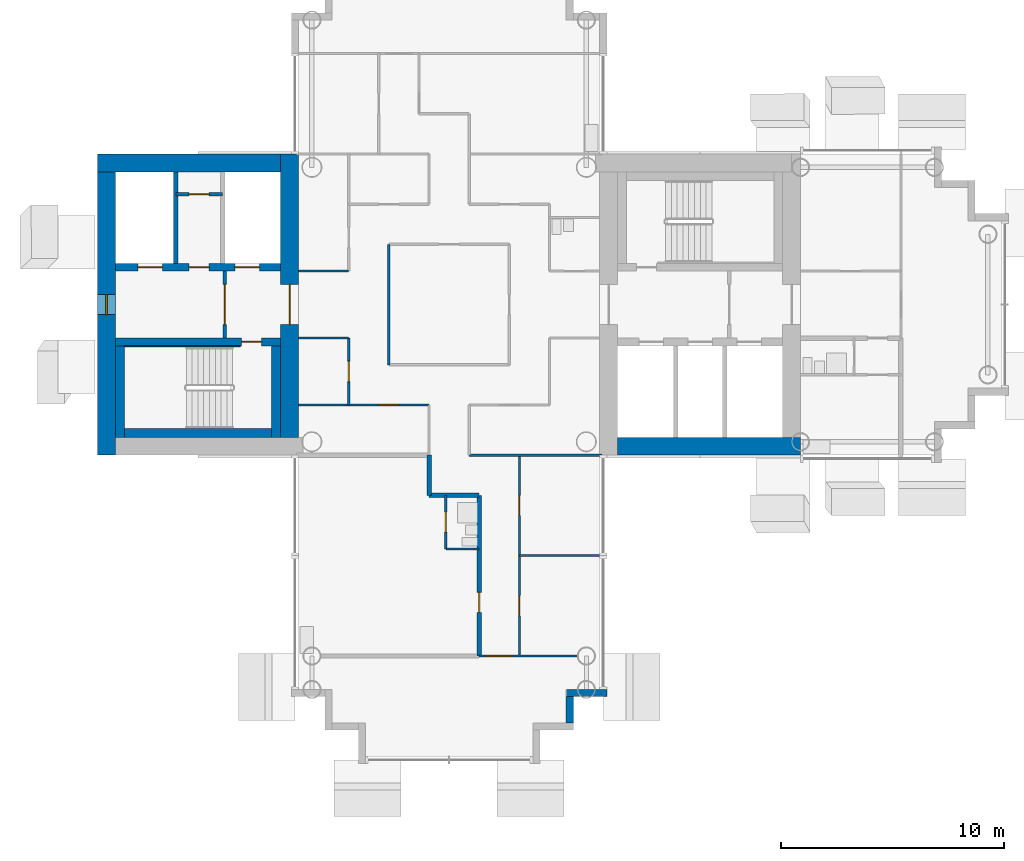
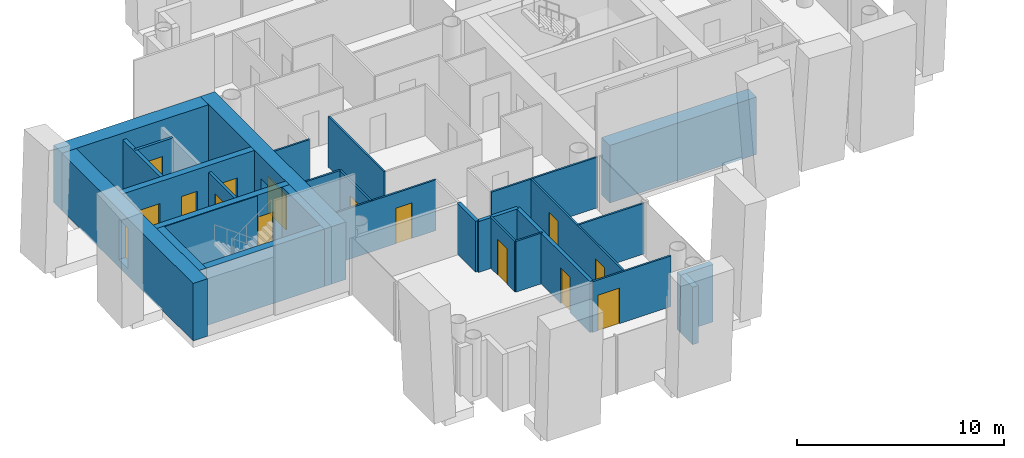
# One storey, part 6 of 18: 29 walls, 14 doors, 1 window, 15 openings.
"""IFC4 building model written with IfcOpenShell, lengths in metres."""

from ifc_helpers import new_model, si_unit, direction, frame, frame_2d, origin, place, context, subcontext, project, spatial, rectangle, extrude, material, layer, layer_set, type_object, element, fill, save


model = new_model("IFC4")

# Units and contexts
model_context = context("Model", 3, precision=1e-05, world=origin(), true_north=direction((0.0, 1.0)))
body_context = subcontext(model_context, "Body", "Model", "MODEL_VIEW")
ifc_project = project(units=[si_unit("LENGTHUNIT", "METRE"), si_unit("AREAUNIT", "SQUARE_METRE"), si_unit("VOLUMEUNIT", "CUBIC_METRE"), si_unit("PLANEANGLEUNIT", "RADIAN"), si_unit("MASSUNIT", "GRAM", prefix="KILO")], contexts=[model_context])

# Site, building, storey
site_placement = place(None, origin())
site = spatial("IfcSite", under=ifc_project, at=site_placement, CompositionType="ELEMENT")
building_placement = place(site_placement, origin())
building = spatial("IfcBuilding", under=site, at=building_placement, Name="Ipe Terrace Towers", CompositionType="ELEMENT")
storey_placement = place(building_placement, frame((0.0, 0.0, 171.10009765625)))
storey = spatial("IfcBuildingStorey", under=building, at=storey_placement, Name="L47", CompositionType="ELEMENT", Elevation=171.10009765625)

# Walls
ifc_material_1 = material(Name="Concrete C40/50 with buff precast cladding", Category="concrete")
ifc_layer_1 = layer(ifc_material_1, 0.320068359375)
ifc_layer_set_1 = layer_set([ifc_layer_1], Name="BUFF CLADDING WALL 320")
wall_type_1 = type_object("IfcWallType", Name="BUFF CLADDING WALL 320", PredefinedType="STANDARD", material=ifc_layer_set_1)
wall_1_placement = place(storey_placement, frame((-30.590087890625, -18.75, -0.300048828125), z_axis=(0.0, 0.0, 1.0), x_axis=(0.0, 1.0, 0.0)))
element("IfcWall", 1, at=wall_1_placement, inside=storey, type_object=wall_type_1, Name="T1-W-L47-11a wall", PredefinedType="STANDARD", context=body_context, shape_type="SweptSolid", body=[
    extrude(rectangle(XDim=1.179931640625, YDim=0.320068359375, at=frame_2d((0.58984375, 0.0))), origin(), (0.0, 0.0, 1.0), 3.39990234375),
])
wall_2_placement = place(storey_placement, frame((-30.75, -17.409912109375, -0.300048828125), z_axis=(0.0, 0.0, 1.0), x_axis=(1.0, 0.0, 0.0)))
element("IfcWall", 2, at=wall_2_placement, inside=storey, type_object=wall_type_1, Name="T1-W-L47-12a wall", PredefinedType="STANDARD", context=body_context, shape_type="SweptSolid", body=[
    extrude(rectangle(XDim=1.820068359375, YDim=0.320068359375, at=frame_2d((0.91015625, 0.0))), origin(), (0.0, 0.0, 1.0), 3.39990234375),
])

# Wall, opening, door
ifc_material_2 = material(Name="Gypsum board partition", Category="plasterboard")
ifc_layer_2 = layer(ifc_material_2, 0.10009765625)
ifc_layer_set_2 = layer_set([ifc_layer_2], Name="Gypsum board partition 100 mm")
wall_type_2 = type_object("IfcWallType", Name="Gypsum board partition 100 mm", PredefinedType="PARTITIONING", material=ifc_layer_set_2)
wall_3_placement = place(storey_placement, frame((-40.5, -4.5, 0.0), z_axis=(0.0, 0.0, 1.0), x_axis=(0.0, 1.0, 0.0)))
wall_3 = element("IfcWall", 3, at=wall_3_placement, inside=storey, type_object=wall_type_2, Name="Gypsum board partition T1 L47 W01", PredefinedType="PARTITIONING", context=body_context, shape_type="SweptSolid", body=[
    extrude(rectangle(XDim=3.0, YDim=0.10009765625, at=frame_2d((1.5, 0.0))), origin(), (0.0, 0.0, 1.0), 3.0),
])
opening_1_placement = place(wall_3_placement, frame((1.050048828125, 0.0, 0.0)))
opening_1 = element("IfcOpeningElement", 4, at=opening_1_placement, cuts=wall_3, Name="Opening T1-Z3F-08", PredefinedType="OPENING", context=body_context, shape_type="SweptSolid", body=[
    extrude(rectangle(XDim=0.89990234375, YDim=2.10009765625, at=frame_2d((0.449951171875, 1.050048828125))), frame((0.0, 0.06005859375, 0.0), z_axis=(0.0, -1.0, 0.0), x_axis=(1.0, 0.0, 0.0)), (0.0, 0.0, 1.0), 0.1201171875),
])
ifc_material_3 = material(Name="Timber door leaf", Category="wood")
door_type_1 = type_object("IfcDoorType", Name="Lounge door 900 x 2100", OperationType="NOTDEFINED", PredefinedType="DOOR", material=ifc_material_3)
door_1_placement = place(opening_1_placement, origin())
door_1 = element("IfcDoor", 5, at=door_1_placement, inside=storey, type_object=door_type_1, Name="Lounge door T1-Z3F-08", OperationType="SINGLE_SWING_LEFT", OverallHeight=2.10009765625, OverallWidth=0.89990234375, PredefinedType="DOOR", context=body_context, shape_type="SweptSolid", body=[
    extrude(rectangle(XDim=0.89990234375, YDim=2.10009765625, at=frame_2d((0.449951171875, 1.050048828125))), frame((0.0, 0.02490234375, 0.0), z_axis=(0.0, -1.0, 0.0), x_axis=(1.0, 0.0, 0.0)), (0.0, 0.0, 1.0), 0.050048828125),
])
fill(opening_1, door_1)

# Wall
wall_4_placement = place(storey_placement, frame((-38.699951171875, -2.699951171875, 0.0), z_axis=(0.0, 0.0, 1.0), x_axis=(0.0, 1.0, 0.0)))
element("IfcWall", 6, at=wall_4_placement, inside=storey, type_object=wall_type_2, Name="Gypsum board partition T1 L47 W04", PredefinedType="PARTITIONING", context=body_context, shape_type="SweptSolid", body=[
    extrude(rectangle(XDim=5.39990234375, YDim=0.10009765625, at=frame_2d((2.699951171875, 0.0))), origin(), (0.0, 0.0, 1.0), 3.0),
])

# Wall, opening, door
wall_5_placement = place(storey_placement, frame((-36.14990234375, -10.949951171875, 0.0), z_axis=(0.0, 0.0, 1.0), x_axis=(0.0, 1.0, 0.0)))
wall_5 = element("IfcWall", 7, at=wall_5_placement, inside=storey, type_object=wall_type_2, Name="Gypsum board partition T1 L47 W09", PredefinedType="PARTITIONING", context=body_context, shape_type="SweptSolid", body=[
    extrude(rectangle(XDim=2.39990234375, YDim=0.10009765625, at=frame_2d((1.199951171875, 0.0))), origin(), (0.0, 0.0, 1.0), 3.0),
])
opening_2_placement = place(wall_5_placement, frame((0.75, 0.0, 0.0)))
opening_2 = element("IfcOpeningElement", 8, at=opening_2_placement, cuts=wall_5, Name="Opening T1-Z3F-16", PredefinedType="OPENING", context=body_context, shape_type="SweptSolid", body=[
    extrude(rectangle(XDim=0.89990234375, YDim=2.10009765625, at=frame_2d((0.449951171875, 1.050048828125))), frame((0.0, 0.06005859375, 0.0), z_axis=(0.0, -1.0, 0.0), x_axis=(1.0, 0.0, 0.0)), (0.0, 0.0, 1.0), 0.1201171875),
])
ifc_material_4 = material(Name="Timber door leaf", Category="wood")
door_type_2 = type_object("IfcDoorType", Name="Bathroom door 900 x 2100", OperationType="NOTDEFINED", PredefinedType="DOOR", material=ifc_material_4)
door_2_placement = place(opening_2_placement, origin())
door_2 = element("IfcDoor", 9, at=door_2_placement, inside=storey, type_object=door_type_2, Name="Bathroom door T1-Z3F-16", OperationType="SINGLE_SWING_RIGHT", OverallHeight=2.10009765625, OverallWidth=0.89990234375, PredefinedType="DOOR", context=body_context, shape_type="SweptSolid", body=[
    extrude(rectangle(XDim=0.89990234375, YDim=2.10009765625, at=frame_2d((0.449951171875, 1.050048828125))), frame((0.0, 0.02490234375, 0.0), z_axis=(0.0, -1.0, 0.0), x_axis=(1.0, 0.0, 0.0)), (0.0, 0.0, 1.0), 0.050048828125),
])
fill(opening_2, door_2)

# Wall, openings, doors
wall_6_placement = place(storey_placement, frame((-32.85009765625, -15.75, 0.0), z_axis=(0.0, 0.0, 1.0), x_axis=(0.0, 1.0, 0.0)))
wall_6 = element("IfcWall", 10, at=wall_6_placement, inside=storey, type_object=wall_type_2, Name="Gypsum board partition T1 L47 W14", PredefinedType="PARTITIONING", context=body_context, shape_type="SweptSolid", body=[
    extrude(rectangle(XDim=9.0, YDim=0.10009765625, at=frame_2d((4.5, 0.0))), origin(), (0.0, 0.0, 1.0), 3.0),
])
opening_3_placement = place(wall_6_placement, frame((6.300048828125, 0.0, 0.0)))
opening_3 = element("IfcOpeningElement", 11, at=opening_3_placement, cuts=wall_6, Name="Opening T1-Z3F-13", PredefinedType="OPENING", context=body_context, shape_type="SweptSolid", body=[
    extrude(rectangle(XDim=0.89990234375, YDim=2.10009765625, at=frame_2d((0.449951171875, 1.050048828125))), frame((0.0, 0.06005859375, 0.0), z_axis=(0.0, -1.0, 0.0), x_axis=(1.0, 0.0, 0.0)), (0.0, 0.0, 1.0), 0.1201171875),
])
opening_4_placement = place(wall_6_placement, frame((1.800048828125, 0.0, 0.0)))
opening_4 = element("IfcOpeningElement", 12, at=opening_4_placement, cuts=wall_6, Name="Opening T1-Z3F-14", PredefinedType="OPENING", context=body_context, shape_type="SweptSolid", body=[
    extrude(rectangle(XDim=0.89990234375, YDim=2.10009765625, at=frame_2d((0.449951171875, 1.050048828125))), frame((0.0, 0.06005859375, 0.0), z_axis=(0.0, -1.0, 0.0), x_axis=(1.0, 0.0, 0.0)), (0.0, 0.0, 1.0), 0.1201171875),
])
door_3_placement = place(opening_3_placement, origin())
door_3 = element("IfcDoor", 13, at=door_3_placement, inside=storey, type_object=door_type_1, Name="Lounge door T1-Z3F-13", OperationType="SINGLE_SWING_RIGHT", OverallHeight=2.10009765625, OverallWidth=0.89990234375, PredefinedType="DOOR", context=body_context, shape_type="SweptSolid", body=[
    extrude(rectangle(XDim=0.89990234375, YDim=2.10009765625, at=frame_2d((0.449951171875, 1.050048828125))), frame((0.0, 0.02490234375, 0.0), z_axis=(0.0, -1.0, 0.0), x_axis=(1.0, 0.0, 0.0)), (0.0, 0.0, 1.0), 0.050048828125),
])
fill(opening_3, door_3)
door_4_placement = place(opening_4_placement, origin())
door_4 = element("IfcDoor", 14, at=door_4_placement, inside=storey, type_object=door_type_1, Name="Lounge door T1-Z3F-14", OperationType="SINGLE_SWING_LEFT", OverallHeight=2.10009765625, OverallWidth=0.89990234375, PredefinedType="DOOR", context=body_context, shape_type="SweptSolid", body=[
    extrude(rectangle(XDim=0.89990234375, YDim=2.10009765625, at=frame_2d((0.449951171875, 1.050048828125))), frame((0.0, 0.02490234375, 0.0), z_axis=(0.0, -1.0, 0.0), x_axis=(1.0, 0.0, 0.0)), (0.0, 0.0, 1.0), 0.050048828125),
])
fill(opening_4, door_4)

# Wall, opening, door
wall_7_placement = place(storey_placement, frame((-34.64990234375, -15.75, 0.0), z_axis=(0.0, 0.0, 1.0), x_axis=(1.0, 0.0, 0.0)))
wall_7 = element("IfcWall", 15, at=wall_7_placement, inside=storey, type_object=wall_type_2, Name="Gypsum board partition T1 L47 W20", PredefinedType="PARTITIONING", context=body_context, shape_type="SweptSolid", body=[
    extrude(rectangle(XDim=4.39990234375, YDim=0.10009765625, at=frame_2d((2.199951171875, 0.0))), origin(), (0.0, 0.0, 1.0), 3.0),
])
opening_5_placement = place(wall_7_placement, frame((0.300048828125, 0.0, 0.0)))
opening_5 = element("IfcOpeningElement", 16, at=opening_5_placement, cuts=wall_7, Name="Opening T1-Z3F-17", PredefinedType="OPENING", context=body_context, shape_type="SweptSolid", body=[
    extrude(rectangle(XDim=1.199951171875, YDim=2.10009765625, at=frame_2d((0.60009765625, 1.050048828125))), frame((0.0, 0.06005859375, 0.0), z_axis=(0.0, -1.0, 0.0), x_axis=(1.0, 0.0, 0.0)), (0.0, 0.0, 1.0), 0.1201171875),
])
ifc_material_5 = material(Name="Timber door leaf", Category="wood")
door_type_3 = type_object("IfcDoorType", Name="Lounge door 1200 x 2100", OperationType="NOTDEFINED", PredefinedType="DOOR", material=ifc_material_5)
door_5_placement = place(opening_5_placement, origin())
door_5 = element("IfcDoor", 17, at=door_5_placement, inside=storey, type_object=door_type_3, Name="Lounge door T1-Z3F-17", OperationType="SINGLE_SWING_LEFT", OverallHeight=2.10009765625, OverallWidth=1.199951171875, PredefinedType="DOOR", context=body_context, shape_type="SweptSolid", body=[
    extrude(rectangle(XDim=1.199951171875, YDim=2.10009765625, at=frame_2d((0.60009765625, 1.050048828125))), frame((0.0, 0.02490234375, 0.0), z_axis=(0.0, -1.0, 0.0), x_axis=(1.0, 0.0, 0.0)), (0.0, 0.0, 1.0), 0.050048828125),
])
fill(opening_5, door_5)

# Walls
wall_8_placement = place(storey_placement, frame((-32.85009765625, -11.25, 0.0), z_axis=(0.0, 0.0, 1.0), x_axis=(1.0, 0.0, 0.0)))
element("IfcWall", 18, at=wall_8_placement, inside=storey, type_object=wall_type_2, Name="Gypsum board partition T1 L47 W22", PredefinedType="PARTITIONING", context=body_context, shape_type="SweptSolid", body=[
    extrude(rectangle(XDim=3.7001953125, YDim=0.10009765625, at=frame_2d((1.85009765625, 0.0))), origin(), (0.0, 0.0, 1.0), 3.0),
])
wall_9_placement = place(storey_placement, frame((-36.14990234375, -10.949951171875, 0.0), z_axis=(0.0, 0.0, 1.0), x_axis=(1.0, 0.0, 0.0)))
element("IfcWall", 19, at=wall_9_placement, inside=storey, type_object=wall_type_2, Name="Gypsum board partition T1 L47 W23", PredefinedType="PARTITIONING", context=body_context, shape_type="SweptSolid", body=[
    extrude(rectangle(XDim=1.5, YDim=0.10009765625, at=frame_2d((0.75, 0.0))), origin(), (0.0, 0.0, 1.0), 3.0),
])
wall_10_placement = place(storey_placement, frame((-35.10009765625, -6.75, 0.0), z_axis=(0.0, 0.0, 1.0), x_axis=(1.0, 0.0, 0.0)))
element("IfcWall", 20, at=wall_10_placement, inside=storey, type_object=wall_type_2, Name="Gypsum board partition T1 L47 W25", PredefinedType="PARTITIONING", context=body_context, shape_type="SweptSolid", body=[
    extrude(rectangle(XDim=5.9501953125, YDim=0.10009765625, at=frame_2d((2.97509765625, 0.0))), origin(), (0.0, 0.0, 1.0), 3.0),
])

# Wall, opening, door
wall_11_placement = place(storey_placement, frame((-42.75, -4.5, 0.0), z_axis=(0.0, 0.0, 1.0), x_axis=(1.0, 0.0, 0.0)))
wall_11 = element("IfcWall", 21, at=wall_11_placement, inside=storey, type_object=wall_type_2, Name="Gypsum board partition T1 L47 W27", PredefinedType="PARTITIONING", context=body_context, shape_type="SweptSolid", body=[
    extrude(rectangle(XDim=5.85009765625, YDim=0.10009765625, at=frame_2d((2.925048828125, 0.0))), origin(), (0.0, 0.0, 1.0), 3.0),
])
opening_6_placement = place(wall_11_placement, frame((3.60009765625, 0.0, 0.0)))
opening_6 = element("IfcOpeningElement", 22, at=opening_6_placement, cuts=wall_11, Name="Opening T1-Z3F-07", PredefinedType="OPENING", context=body_context, shape_type="SweptSolid", body=[
    extrude(rectangle(XDim=0.89990234375, YDim=2.10009765625, at=frame_2d((0.449951171875, 1.050048828125))), frame((0.0, 0.06005859375, 0.0), z_axis=(0.0, -1.0, 0.0), x_axis=(1.0, 0.0, 0.0)), (0.0, 0.0, 1.0), 0.1201171875),
])
door_6_placement = place(opening_6_placement, origin())
door_6 = element("IfcDoor", 23, at=door_6_placement, inside=storey, type_object=door_type_1, Name="Lounge door T1-Z3F-07", OperationType="SINGLE_SWING_RIGHT", OverallHeight=2.10009765625, OverallWidth=0.89990234375, PredefinedType="DOOR", context=body_context, shape_type="SweptSolid", body=[
    extrude(rectangle(XDim=0.89990234375, YDim=2.10009765625, at=frame_2d((0.449951171875, 1.050048828125))), frame((0.0, 0.02490234375, 0.0), z_axis=(0.0, -1.0, 0.0), x_axis=(1.0, 0.0, 0.0)), (0.0, 0.0, 1.0), 0.050048828125),
])
fill(opening_6, door_6)

# Walls
for number, where, z_axis, x_axis, name in (
    (24, (-42.75, -1.5, 0.0), (0.0, 0.0, 1.0), (1.0, 0.0, 0.0), "Gypsum board partition T1 L47 W31"),
    (25, (-42.75, 1.5, 0.0), (0.0, 0.0, 1.0), (1.0, 0.0, 0.0), "Gypsum board partition T1 L47 W34"),
):
    element("IfcWall", number, at=place(storey_placement, frame(where, z_axis=z_axis, x_axis=x_axis)), inside=storey, type_object=wall_type_2, Name=name, PredefinedType="PARTITIONING", context=body_context, shape_type="SweptSolid", body=[
        extrude(rectangle(XDim=2.25, YDim=0.10009765625, at=frame_2d((1.125, 0.0))), origin(), (0.0, 0.0, 1.0), 3.0),
    ])

# Wall, opening, door
ifc_material_6 = material(Name="Gypsum board partition", Category="plasterboard")
ifc_layer_3 = layer(ifc_material_6, 0.14990234375)
ifc_layer_set_3 = layer_set([ifc_layer_3], Name="Gypsum board partition 150 mm")
wall_type_3 = type_object("IfcWallType", Name="Gypsum board partition 150 mm", PredefinedType="PARTITIONING", material=ifc_layer_set_3)
wall_12_placement = place(storey_placement, frame((-46.050048828125, 1.5, 0.0), z_axis=(0.0, 0.0, 1.0), x_axis=(0.0, -1.0, 0.0)))
wall_12 = element("IfcWall", 26, at=wall_12_placement, inside=storey, type_object=wall_type_3, Name="Gypsum board partition T1 L47 t1c2-lobby-wall", PredefinedType="PARTITIONING", context=body_context, shape_type="SweptSolid", body=[
    extrude(rectangle(XDim=3.0, YDim=0.14990234375, at=frame_2d((1.5, 0.0))), origin(), (0.0, 0.0, 1.0), 3.0),
])
opening_7_placement = place(wall_12_placement, frame((0.60009765625, 0.0, 0.0)))
opening_7 = element("IfcOpeningElement", 27, at=opening_7_placement, cuts=wall_12, Name="Opening T1C2-VD", PredefinedType="OPENING", context=body_context, shape_type="SweptSolid", body=[
    extrude(rectangle(XDim=1.800048828125, YDim=2.10009765625, at=frame_2d((0.89990234375, 1.050048828125))), frame((0.0, 0.0849609375, 0.0), z_axis=(0.0, -1.0, 0.0), x_axis=(1.0, 0.0, 0.0)), (0.0, 0.0, 1.0), 0.169921875),
])
ifc_material_7 = material(Name="Fire-rated timber door leaf", Category="wood")
door_type_4 = type_object("IfcDoorType", Name="Lobby door 1800 x 2100 FD60", OperationType="NOTDEFINED", PredefinedType="DOOR", material=ifc_material_7)
door_7_placement = place(opening_7_placement, origin())
door_7 = element("IfcDoor", 28, at=door_7_placement, inside=storey, type_object=door_type_4, Name="Lobby door T1C2-VD", OperationType="SINGLE_SWING_LEFT", OverallHeight=2.10009765625, OverallWidth=1.800048828125, PredefinedType="DOOR", context=body_context, shape_type="SweptSolid", body=[
    extrude(rectangle(XDim=1.800048828125, YDim=2.10009765625, at=frame_2d((0.89990234375, 1.050048828125))), frame((0.0, 0.02490234375, 0.0), z_axis=(0.0, -1.0, 0.0), x_axis=(1.0, 0.0, 0.0)), (0.0, 0.0, 1.0), 0.050048828125),
])
fill(opening_7, door_7)

wall_13_placement = place(storey_placement, frame((-46.14990234375, 4.949951171875, 0.0), z_axis=(0.0, 0.0, 1.0), x_axis=(-1.0, 0.0, 0.0)))
wall_13 = element("IfcWall", 29, at=wall_13_placement, inside=storey, type_object=wall_type_3, Name="Gypsum board partition T1 L47 t1c2-q-back", PredefinedType="PARTITIONING", context=body_context, shape_type="SweptSolid", body=[
    extrude(rectangle(XDim=2.10009765625, YDim=0.14990234375, at=frame_2d((1.050048828125, 0.0))), origin(), (0.0, 0.0, 1.0), 3.0),
])
opening_8_placement = place(wall_13_placement, frame((0.60009765625, 0.0, 0.0)))
opening_8 = element("IfcOpeningElement", 30, at=opening_8_placement, cuts=wall_13, Name="Opening T1C2-RB", PredefinedType="OPENING", context=body_context, shape_type="SweptSolid", body=[
    extrude(rectangle(XDim=0.89990234375, YDim=2.10009765625, at=frame_2d((0.449951171875, 1.050048828125))), frame((0.0, 0.0849609375, 0.0), z_axis=(0.0, -1.0, 0.0), x_axis=(1.0, 0.0, 0.0)), (0.0, 0.0, 1.0), 0.169921875),
])
ifc_material_8 = material(Name="Fire-rated timber door leaf", Category="wood")
door_type_5 = type_object("IfcDoorType", Name="Service door 900 x 2100 FD60", OperationType="NOTDEFINED", PredefinedType="DOOR", material=ifc_material_8)
door_8_placement = place(opening_8_placement, origin())
door_8 = element("IfcDoor", 31, at=door_8_placement, inside=storey, type_object=door_type_5, Name="Service door T1C2-RB", OperationType="SINGLE_SWING_LEFT", OverallHeight=2.10009765625, OverallWidth=0.89990234375, PredefinedType="DOOR", context=body_context, shape_type="SweptSolid", body=[
    extrude(rectangle(XDim=0.89990234375, YDim=2.10009765625, at=frame_2d((0.449951171875, 1.050048828125))), frame((0.0, 0.02490234375, 0.0), z_axis=(0.0, -1.0, 0.0), x_axis=(1.0, 0.0, 0.0)), (0.0, 0.0, 1.0), 0.050048828125),
])
fill(opening_8, door_8)

# Walls
ifc_material_9 = material(Name="Gypsum board party wall", Category="plasterboard")
ifc_layer_4 = layer(ifc_material_9, 0.199951171875)
ifc_layer_set_4 = layer_set([ifc_layer_4], Name="Gypsum board party wall 200 mm")
wall_type_4 = type_object("IfcWallType", Name="Gypsum board party wall 200 mm", PredefinedType="SOLIDWALL", material=ifc_layer_set_4)
wall_14_placement = place(storey_placement, frame((-48.25, 5.949951171875, 0.0), z_axis=(0.0, 0.0, 1.0), x_axis=(0.0, -1.0, 0.0)))
element("IfcWall", 32, at=wall_14_placement, inside=storey, type_object=wall_type_4, Name="Gypsum board party wall T1 L47 t1c2-shaft-div2", PredefinedType="SOLIDWALL", context=body_context, shape_type="SweptSolid", body=[
    extrude(rectangle(XDim=4.099853515625, YDim=0.199951171875, at=frame_2d((2.0498046875, 0.0))), origin(), (0.0, 0.0, 1.0), 3.0),
])
wall_15_placement = place(storey_placement, frame((-36.89990234375, -8.550048828125, 0.0), z_axis=(0.0, 0.0, 1.0), x_axis=(0.0, 1.0, 0.0)))
element("IfcWall", 33, at=wall_15_placement, inside=storey, type_object=wall_type_4, Name="Gypsum board party wall T1 L47 W08", PredefinedType="SOLIDWALL", context=body_context, shape_type="SweptSolid", body=[
    extrude(rectangle(XDim=1.800048828125, YDim=0.199951171875, at=frame_2d((0.89990234375, 0.0))), origin(), (0.0, 0.0, 1.0), 3.0),
])

# Wall, opening, door
wall_16_placement = place(storey_placement, frame((-34.64990234375, -15.75, 0.0), z_axis=(0.0, 0.0, 1.0), x_axis=(0.0, 1.0, 0.0)))
wall_16 = element("IfcWall", 34, at=wall_16_placement, inside=storey, type_object=wall_type_4, Name="Gypsum board party wall T1 L47 W12", PredefinedType="SOLIDWALL", context=body_context, shape_type="SweptSolid", body=[
    extrude(rectangle(XDim=7.199951171875, YDim=0.199951171875, at=frame_2d((3.60009765625, 0.0))), origin(), (0.0, 0.0, 1.0), 3.0),
])
opening_9_placement = place(wall_16_placement, frame((1.949951171875, 0.0, 0.0)))
opening_9 = element("IfcOpeningElement", 35, at=opening_9_placement, cuts=wall_16, Name="Opening T1-Z3F-15", PredefinedType="OPENING", context=body_context, shape_type="SweptSolid", body=[
    extrude(rectangle(XDim=0.89990234375, YDim=2.10009765625, at=frame_2d((0.449951171875, 1.050048828125))), frame((0.0, 0.10986328125, 0.0), z_axis=(0.0, -1.0, 0.0), x_axis=(1.0, 0.0, 0.0)), (0.0, 0.0, 1.0), 0.219970703125),
])
ifc_material_10 = material(Name="Fire-rated timber door leaf", Category="wood")
door_type_6 = type_object("IfcDoorType", Name="Flat entrance door 900 x 2100 FD30S", OperationType="NOTDEFINED", PredefinedType="DOOR", material=ifc_material_10)
door_9_placement = place(opening_9_placement, origin())
door_9 = element("IfcDoor", 36, at=door_9_placement, inside=storey, type_object=door_type_6, Name="Flat entrance door T1-Z3F-15", OperationType="SINGLE_SWING_RIGHT", OverallHeight=2.10009765625, OverallWidth=0.89990234375, PredefinedType="DOOR", context=body_context, shape_type="SweptSolid", body=[
    extrude(rectangle(XDim=0.89990234375, YDim=2.10009765625, at=frame_2d((0.449951171875, 1.050048828125))), frame((0.0, 0.02490234375, 0.0), z_axis=(0.0, -1.0, 0.0), x_axis=(1.0, 0.0, 0.0)), (0.0, 0.0, 1.0), 0.050048828125),
])
fill(opening_9, door_9)

# Wall
wall_17_placement = place(storey_placement, frame((-36.89990234375, -8.550048828125, 0.0), z_axis=(0.0, 0.0, 1.0), x_axis=(1.0, 0.0, 0.0)))
element("IfcWall", 37, at=wall_17_placement, inside=storey, type_object=wall_type_4, Name="Gypsum board party wall T1 L47 W24", PredefinedType="SOLIDWALL", context=body_context, shape_type="SweptSolid", body=[
    extrude(rectangle(XDim=2.25, YDim=0.199951171875, at=frame_2d((1.125, 0.0))), origin(), (0.0, 0.0, 1.0), 3.0),
])

# Wall, opening, door
ifc_material_11 = material(Name="Concrete C50/60", Category="concrete")
ifc_layer_5 = layer(ifc_material_11, 0.35009765625)
ifc_layer_set_5 = layer_set([ifc_layer_5], Name="RW350 CORE SPINE WALL 350 C50-60")
wall_type_5 = type_object("IfcWallType", Name="RW350 CORE SPINE WALL 350 C50-60", PredefinedType="SHEAR", material=ifc_layer_set_5)
wall_18_placement = place(storey_placement, frame((-50.949951171875, -1.675048828125, 0.0), z_axis=(0.0, 0.0, 1.0), x_axis=(1.0, 0.0, 0.0)))
wall_18 = element("IfcWall", 38, at=wall_18_placement, inside=storey, type_object=wall_type_5, Name="Core spine wall T1-C2-Z3-SW1", PredefinedType="SHEAR", context=body_context, shape_type="SweptSolid", body=[
    extrude(rectangle(XDim=7.39990234375, YDim=0.35009765625, at=frame_2d((3.699951171875, 0.0))), origin(), (0.0, 0.0, 1.0), 3.39990234375),
])
opening_10_placement = place(wall_18_placement, frame((5.64990234375, 0.0, 0.0)))
opening_10 = element("IfcOpeningElement", 39, at=opening_10_placement, cuts=wall_18, Name="Opening T1C2-SD", PredefinedType="OPENING", context=body_context, shape_type="SweptSolid", body=[
    extrude(rectangle(XDim=0.89990234375, YDim=2.10009765625, at=frame_2d((0.449951171875, 1.050048828125))), frame((0.0, 0.18505859375, 0.0), z_axis=(0.0, -1.0, 0.0), x_axis=(1.0, 0.0, 0.0)), (0.0, 0.0, 1.0), 0.3701171875),
])
ifc_material_12 = material(Name="Fire-rated timber door leaf", Category="wood")
door_type_7 = type_object("IfcDoorType", Name="Stair door 900 x 2100 FD60", OperationType="NOTDEFINED", PredefinedType="DOOR", material=ifc_material_12)
door_10_placement = place(opening_10_placement, origin())
door_10 = element("IfcDoor", 40, at=door_10_placement, inside=storey, type_object=door_type_7, Name="Stair door T1C2-SD", OperationType="SINGLE_SWING_RIGHT", OverallHeight=2.10009765625, OverallWidth=0.89990234375, PredefinedType="DOOR", context=body_context, shape_type="SweptSolid", body=[
    extrude(rectangle(XDim=0.89990234375, YDim=2.10009765625, at=frame_2d((0.449951171875, 1.050048828125))), frame((0.0, 0.02490234375, 0.0), z_axis=(0.0, -1.0, 0.0), x_axis=(1.0, 0.0, 0.0)), (0.0, 0.0, 1.0), 0.050048828125),
])
fill(opening_10, door_10)

# Wall, openings, doors
wall_19_placement = place(storey_placement, frame((-50.949951171875, 1.675048828125, 0.0), z_axis=(0.0, 0.0, 1.0), x_axis=(1.0, 0.0, 0.0)))
wall_19 = element("IfcWall", 41, at=wall_19_placement, inside=storey, type_object=wall_type_5, Name="Core spine wall T1-C2-Z3-SW2", PredefinedType="SHEAR", context=body_context, shape_type="SweptSolid", body=[
    extrude(rectangle(XDim=7.39990234375, YDim=0.35009765625, at=frame_2d((3.699951171875, 0.0))), origin(), (0.0, 0.0, 1.0), 3.39990234375),
])
opening_11_placement = place(wall_19_placement, frame((5.35009765625, 0.0, 0.0)))
opening_11 = element("IfcOpeningElement", 42, at=opening_11_placement, cuts=wall_19, Name="Opening T1C2-LD1", PredefinedType="OPENING", context=body_context, shape_type="SweptSolid", body=[
    extrude(rectangle(XDim=1.10009765625, YDim=2.10009765625, at=frame_2d((0.550048828125, 1.050048828125))), frame((0.0, 0.18505859375, 0.0), z_axis=(0.0, -1.0, 0.0), x_axis=(1.0, 0.0, 0.0)), (0.0, 0.0, 1.0), 0.3701171875),
])
opening_12_placement = place(wall_19_placement, frame((1.0, 0.0, 0.0)))
opening_12 = element("IfcOpeningElement", 43, at=opening_12_placement, cuts=wall_19, Name="Opening T1C2-LD3", PredefinedType="OPENING", context=body_context, shape_type="SweptSolid", body=[
    extrude(rectangle(XDim=1.10009765625, YDim=2.10009765625, at=frame_2d((0.550048828125, 1.050048828125))), frame((0.0, 0.18505859375, 0.0), z_axis=(0.0, -1.0, 0.0), x_axis=(1.0, 0.0, 0.0)), (0.0, 0.0, 1.0), 0.3701171875),
])
opening_13_placement = place(wall_19_placement, frame((3.300048828125, 0.0, 0.0)))
opening_13 = element("IfcOpeningElement", 44, at=opening_13_placement, cuts=wall_19, Name="Opening T1C2-R1-NR", PredefinedType="OPENING", context=body_context, shape_type="SweptSolid", body=[
    extrude(rectangle(XDim=0.89990234375, YDim=2.10009765625, at=frame_2d((0.449951171875, 1.050048828125))), frame((0.0, 0.18505859375, 0.0), z_axis=(0.0, -1.0, 0.0), x_axis=(1.0, 0.0, 0.0)), (0.0, 0.0, 1.0), 0.3701171875),
])
ifc_material_13 = material(Name="Fire-rated timber door leaf", Category="wood")
door_type_8 = type_object("IfcDoorType", Name="Sliding door 1100 x 2100 FD60", OperationType="SLIDING_TO_LEFT", PredefinedType="DOOR", material=ifc_material_13)
door_11_placement = place(opening_11_placement, origin())
door_11 = element("IfcDoor", 45, at=door_11_placement, inside=storey, type_object=door_type_8, Name="Sliding door T1C2-LD1", OperationType="SLIDING_TO_LEFT", OverallHeight=2.10009765625, OverallWidth=1.10009765625, PredefinedType="DOOR", context=body_context, shape_type="SweptSolid", body=[
    extrude(rectangle(XDim=1.10009765625, YDim=2.10009765625, at=frame_2d((0.550048828125, 1.050048828125))), frame((0.0, 0.02490234375, 0.0), z_axis=(0.0, -1.0, 0.0), x_axis=(1.0, 0.0, 0.0)), (0.0, 0.0, 1.0), 0.050048828125),
])
fill(opening_11, door_11)
door_12_placement = place(opening_12_placement, origin())
door_12 = element("IfcDoor", 46, at=door_12_placement, inside=storey, type_object=door_type_8, Name="Sliding door T1C2-LD3", OperationType="SLIDING_TO_LEFT", OverallHeight=2.10009765625, OverallWidth=1.10009765625, PredefinedType="DOOR", context=body_context, shape_type="SweptSolid", body=[
    extrude(rectangle(XDim=1.10009765625, YDim=2.10009765625, at=frame_2d((0.550048828125, 1.050048828125))), frame((0.0, 0.02490234375, 0.0), z_axis=(0.0, -1.0, 0.0), x_axis=(1.0, 0.0, 0.0)), (0.0, 0.0, 1.0), 0.050048828125),
])
fill(opening_12, door_12)
ifc_material_14 = material(Name="Timber door leaf", Category="wood")
door_type_9 = type_object("IfcDoorType", Name="Store door 900 x 2100", OperationType="NOTDEFINED", PredefinedType="DOOR", material=ifc_material_14)
door_13_placement = place(opening_13_placement, origin())
door_13 = element("IfcDoor", 47, at=door_13_placement, inside=storey, type_object=door_type_9, Name="Store door T1C2-R1-NR", OperationType="SINGLE_SWING_LEFT", OverallHeight=2.10009765625, OverallWidth=0.89990234375, PredefinedType="DOOR", context=body_context, shape_type="SweptSolid", body=[
    extrude(rectangle(XDim=0.89990234375, YDim=2.10009765625, at=frame_2d((0.449951171875, 1.050048828125))), frame((0.0, 0.02490234375, 0.0), z_axis=(0.0, -1.0, 0.0), x_axis=(1.0, 0.0, 0.0)), (0.0, 0.0, 1.0), 0.050048828125),
])
fill(opening_13, door_13)

# Walls
ifc_material_15 = material(Name="Concrete C50/60", Category="concrete")
ifc_layer_6 = layer(ifc_material_15, 0.39990234375)
ifc_layer_set_6 = layer_set([ifc_layer_6], Name="RW400 CORE INFILL WALL 400 C50-60")
wall_type_6 = type_object("IfcWallType", Name="RW400 CORE INFILL WALL 400 C50-60", PredefinedType="SHEAR", material=ifc_layer_set_6)
wall_20_placement = place(storey_placement, frame((-50.75, -1.85009765625, 0.0), z_axis=(0.0, 0.0, 1.0), x_axis=(0.0, -1.0, 0.0)))
element("IfcWall", 48, at=wall_20_placement, inside=storey, type_object=wall_type_6, Name="Core infill wall T1-C2-far", PredefinedType="SHEAR", context=body_context, shape_type="SweptSolid", body=[
    extrude(rectangle(XDim=4.099853515625, YDim=0.39990234375, at=frame_2d((2.0498046875, 0.0))), origin(), (0.0, 0.0, 1.0), 3.39990234375),
])
wall_21_placement = place(storey_placement, frame((-43.949951171875, -5.75, 0.0), z_axis=(0.0, 0.0, 1.0), x_axis=(-1.0, 0.0, 0.0)))
element("IfcWall", 49, at=wall_21_placement, inside=storey, type_object=wall_type_6, Name="Core infill wall T1-C2-back", PredefinedType="SHEAR", context=body_context, shape_type="SweptSolid", body=[
    extrude(rectangle(XDim=6.60009765625, YDim=0.39990234375, at=frame_2d((3.300048828125, 0.0))), origin(), (0.0, 0.0, 1.0), 3.39990234375),
])
wall_22_placement = place(storey_placement, frame((-43.75, -1.85009765625, 0.0), z_axis=(0.0, 0.0, 1.0), x_axis=(0.0, -1.0, 0.0)))
element("IfcWall", 50, at=wall_22_placement, inside=storey, type_object=wall_type_6, Name="Core infill wall T1-C2-near", PredefinedType="SHEAR", context=body_context, shape_type="SweptSolid", body=[
    extrude(rectangle(XDim=4.099853515625, YDim=0.39990234375, at=frame_2d((2.0498046875, 0.0))), origin(), (0.0, 0.0, 1.0), 3.39990234375),
])
ifc_material_16 = material(Name="Concrete C50/60", Category="concrete")
ifc_layer_7 = layer(ifc_material_16, 0.050048828125)
ifc_layer_set_7 = layer_set([ifc_layer_7], Name="RW50 CORE INFILL WALL 50 C50-60")
wall_type_7 = type_object("IfcWallType", Name="RW50 CORE INFILL WALL 50 C50-60", PredefinedType="SHEAR", material=ifc_layer_set_7)
wall_23_placement = place(storey_placement, frame((-45.35009765625, -1.875, 0.0), z_axis=(0.0, 0.0, 1.0), x_axis=(-1.0, 0.0, 0.0)))
element("IfcWall", 51, at=wall_23_placement, inside=storey, type_object=wall_type_7, Name="Core infill wall T1-C2-spine-b", PredefinedType="SHEAR", context=body_context, shape_type="SweptSolid", body=[
    extrude(rectangle(XDim=5.199951171875, YDim=0.050048828125, at=frame_2d((2.60009765625, 0.0))), origin(), (0.0, 0.0, 1.0), 3.39990234375),
])
ifc_material_17 = material(Name="Concrete C50/60", Category="concrete")
ifc_layer_8 = layer(ifc_material_17, 0.800048828125)
ifc_layer_set_8 = layer_set([ifc_layer_8], Name="RW800 CORE WALL 800 C50-60")
wall_type_8 = type_object("IfcWallType", Name="RW800 CORE WALL 800 C50-60", PredefinedType="SHEAR", material=ifc_layer_set_8)
wall_24_placement = place(storey_placement, frame((-28.449951171875, -6.35009765625, 0.0), z_axis=(0.0, 0.0, 1.0), x_axis=(1.0, 0.0, 0.0)))
element("IfcWall", 52, at=wall_24_placement, inside=storey, type_object=wall_type_8, Name="Core wall T1-C1-Z3-W01", PredefinedType="SHEAR", context=body_context, shape_type="SweptSolid", body=[
    extrude(rectangle(XDim=8.199951171875, YDim=0.800048828125, at=frame_2d((4.10009765625, 0.0))), origin(), (0.0, 0.0, 1.0), 3.39990234375),
])

# Wall, opening, door
wall_25_placement = place(storey_placement, frame((-43.14990234375, -5.949951171875, 0.0), z_axis=(0.0, 0.0, 1.0), x_axis=(0.0, 1.0, 0.0)))
wall_25 = element("IfcWall", 53, at=wall_25_placement, inside=storey, type_object=wall_type_8, Name="Core wall T1-C2-Z3-W02", PredefinedType="SHEAR", context=body_context, shape_type="SweptSolid", body=[
    extrude(rectangle(XDim=12.699951171875, YDim=0.800048828125, at=frame_2d((6.35009765625, 0.0))), origin(), (0.0, 0.0, 1.0), 3.39990234375),
])
opening_14_placement = place(wall_25_placement, frame((5.050048828125, 0.0, 0.0)))
opening_14 = element("IfcOpeningElement", 54, at=opening_14_placement, cuts=wall_25, Name="Opening T1C2-ND", PredefinedType="OPENING", context=body_context, shape_type="SweptSolid", body=[
    extrude(rectangle(XDim=1.800048828125, YDim=2.10009765625, at=frame_2d((0.89990234375, 1.050048828125))), frame((0.0, 0.41015625, 0.0), z_axis=(0.0, -1.0, 0.0), x_axis=(1.0, 0.0, 0.0)), (0.0, 0.0, 1.0), 0.820068359375),
])
ifc_material_18 = material(Name="Fire-rated timber door leaf", Category="wood")
door_type_10 = type_object("IfcDoorType", Name="Fire door 1800 x 2100 FD30S", OperationType="NOTDEFINED", PredefinedType="DOOR", material=ifc_material_18)
door_14_placement = place(opening_14_placement, origin())
door_14 = element("IfcDoor", 55, at=door_14_placement, inside=storey, type_object=door_type_10, Name="Fire door T1C2-ND", OperationType="SINGLE_SWING_LEFT", OverallHeight=2.10009765625, OverallWidth=1.800048828125, PredefinedType="DOOR", context=body_context, shape_type="SweptSolid", body=[
    extrude(rectangle(XDim=1.800048828125, YDim=2.10009765625, at=frame_2d((0.89990234375, 1.050048828125))), frame((0.0, 0.02490234375, 0.0), z_axis=(0.0, -1.0, 0.0), x_axis=(1.0, 0.0, 0.0)), (0.0, 0.0, 1.0), 0.050048828125),
])
fill(opening_14, door_14)

# Wall
wall_26_placement = place(storey_placement, frame((-43.550048828125, 6.35009765625, 0.0), z_axis=(0.0, 0.0, 1.0), x_axis=(-1.0, 0.0, 0.0)))
element("IfcWall", 56, at=wall_26_placement, inside=storey, type_object=wall_type_8, Name="Core wall T1-C2-Z3-W03", PredefinedType="SHEAR", context=body_context, shape_type="SweptSolid", body=[
    extrude(rectangle(XDim=8.199951171875, YDim=0.800048828125, at=frame_2d((4.10009765625, 0.0))), origin(), (0.0, 0.0, 1.0), 3.39990234375),
])

# Wall, opening, window
wall_27_placement = place(storey_placement, frame((-51.35009765625, 5.949951171875, 0.0), z_axis=(0.0, 0.0, 1.0), x_axis=(0.0, -1.0, 0.0)))
wall_27 = element("IfcWall", 57, at=wall_27_placement, inside=storey, type_object=wall_type_8, Name="Core wall T1-C2-Z3-W04", PredefinedType="SHEAR", context=body_context, shape_type="SweptSolid", body=[
    extrude(rectangle(XDim=12.699951171875, YDim=0.800048828125, at=frame_2d((6.35009765625, 0.0))), origin(), (0.0, 0.0, 1.0), 3.39990234375),
])
opening_15_placement = place(wall_27_placement, frame((5.5, 0.0, 0.449951171875)))
opening_15 = element("IfcOpeningElement", 58, at=opening_15_placement, cuts=wall_27, Name="Opening T1-C2-W-01-L47", PredefinedType="OPENING", context=body_context, shape_type="SweptSolid", body=[
    extrude(rectangle(XDim=0.89990234375, YDim=2.39990234375, at=frame_2d((0.449951171875, 1.199951171875))), frame((0.0, 0.41015625, 0.0), z_axis=(0.0, -1.0, 0.0), x_axis=(1.0, 0.0, 0.0)), (0.0, 0.0, 1.0), 0.820068359375),
])
ifc_material_19 = material(Name="Fire-resistant glazing EI 60", Category="glass")
window_type = type_object("IfcWindowType", Name="CORRIDOR END SLOT WINDOW 900 x 2400 EI 60", PartitioningType="SINGLE_PANEL", PredefinedType="WINDOW", material=ifc_material_19)
window_placement = place(opening_15_placement, origin())
window = element("IfcWindow", 59, at=window_placement, inside=storey, type_object=window_type, Name="W-01 window", OverallHeight=2.39990234375, OverallWidth=0.89990234375, PartitioningType="SINGLE_PANEL", PredefinedType="WINDOW", context=body_context, shape_type="SweptSolid", body=[
    extrude(rectangle(XDim=0.89990234375, YDim=2.39990234375, at=frame_2d((0.449951171875, 1.199951171875))), frame((0.0, 0.030029296875, 0.0), z_axis=(0.0, -1.0, 0.0), x_axis=(1.0, 0.0, 0.0)), (0.0, 0.0, 1.0), 0.06005859375),
])
fill(opening_15, window)

save(model, "model.ifc")
